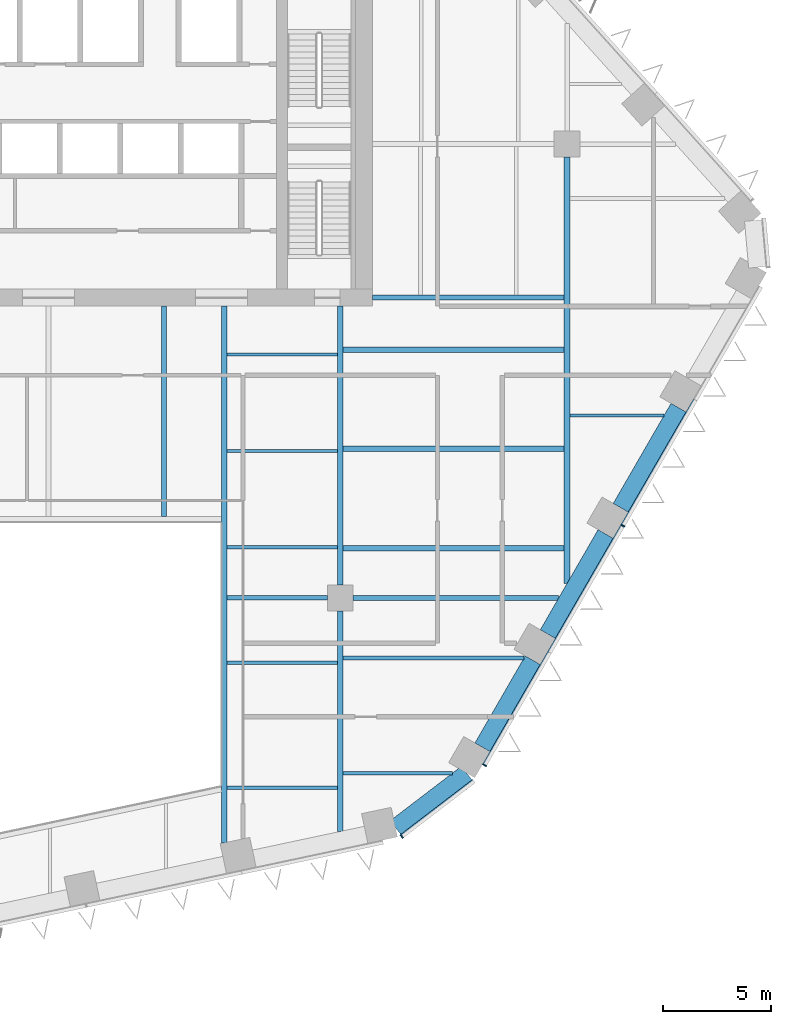
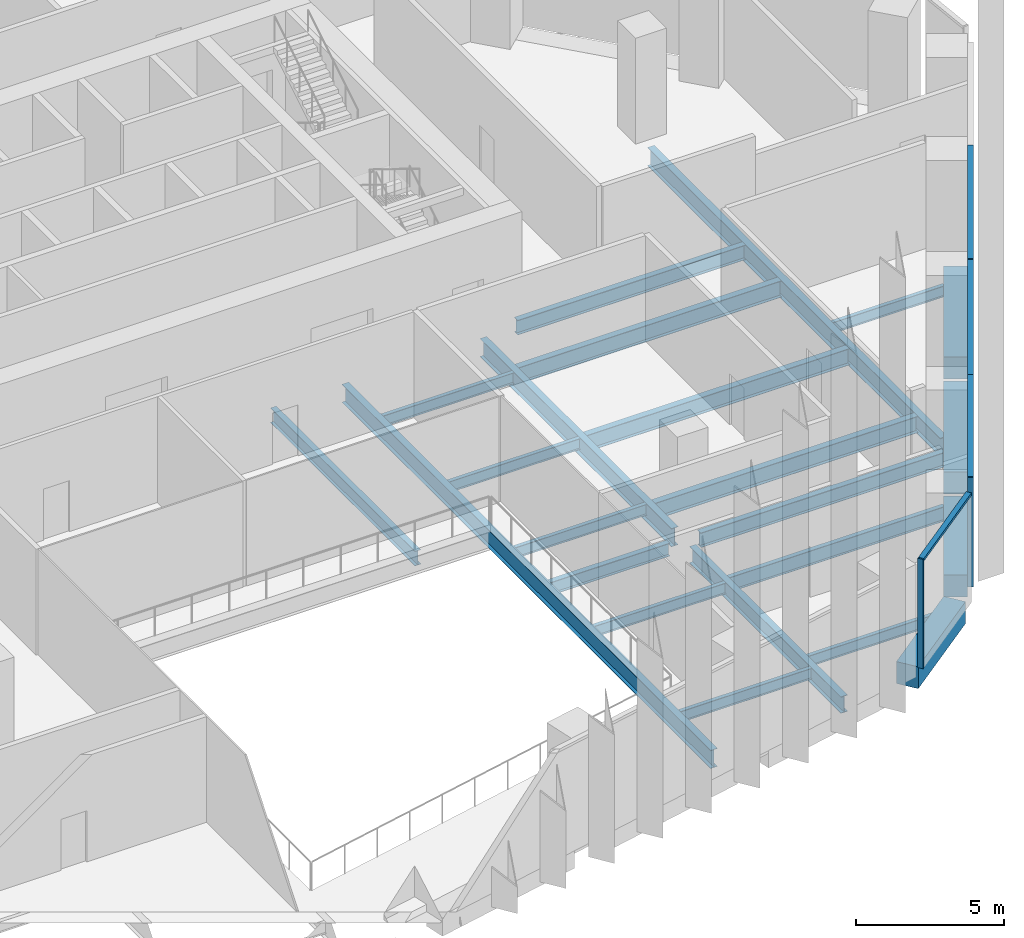
# One storey, part 5 of 18: 23 beams, 7 members, 2 elements without a shape of their own.
"""IFC4 building model written with IfcOpenShell, lengths in metres."""

from ifc_helpers import new_model, si_unit, direction, frame, origin, origin_2d, place, context, subcontext, project, spatial, rectangle, i_section, extrude, material, layer, layer_set, material_profile, profile_set, type_object, element, aggregate, save


model = new_model("IFC4")

# Units and contexts
model_context = context("Model", 3, precision=1e-05, world=origin(), true_north=direction((0.0, 1.0)))
body_context = subcontext(model_context, "Body", "Model", "MODEL_VIEW")
ifc_project = project(units=[si_unit("LENGTHUNIT", "METRE"), si_unit("AREAUNIT", "SQUARE_METRE"), si_unit("VOLUMEUNIT", "CUBIC_METRE"), si_unit("PLANEANGLEUNIT", "RADIAN"), si_unit("MASSUNIT", "GRAM", prefix="KILO")], contexts=[model_context])

# Site, building, storey
site_placement = place(None, origin())
site = spatial("IfcSite", under=ifc_project, at=site_placement, CompositionType="ELEMENT")
building_placement = place(site_placement, origin())
building = spatial("IfcBuilding", under=site, at=building_placement, Name="Isthmus Gate Tower", CompositionType="ELEMENT")
storey_placement = place(building_placement, frame((0.0, 0.0, 166.300048828125)))
storey = spatial("IfcBuildingStorey", under=building, at=storey_placement, Name="L41", CompositionType="ELEMENT", Elevation=166.300048828125)

# Curtain wall, member
ifc_material_1 = material(Name="Aluminium, pale champagne anodised", Category="aluminium")
ifc_layer = layer(ifc_material_1, 0.199951171875)
ifc_layer_set = layer_set([ifc_layer], Name="CW-2 LOUVRE CURTAIN WALL 200 DEEP")
curtain_wall_type = type_object("IfcCurtainWallType", Name="CW-2 LOUVRE CURTAIN WALL 200 DEEP", PredefinedType="NOTDEFINED", material=ifc_layer_set)
curtain_wall_1_placement = place(storey_placement, origin())
curtain_wall_1 = element("IfcCurtainWall", 1, at=curtain_wall_1_placement, inside=storey, type_object=curtain_wall_type, Name="CW-2 S-SE L41", PredefinedType="NOTDEFINED")
ifc_material_2 = material(Name="Aluminium, pale champagne anodised", Category="aluminium")
ifc_material_profile_1 = material_profile(ifc_material_2, rectangle(XDim=0.06005859375, YDim=0.199951171875, at=origin_2d()), Name="60x200")
ifc_profile_set_1 = profile_set([ifc_material_profile_1], Name="Aluminium, pale champagne anodised")
member_type_1 = type_object("IfcMemberType", Name="CW-2 MULLION 60 X 200", PredefinedType="MULLION", material=ifc_profile_set_1)
member_1_placement = place(storey_placement, frame((16.346435546875, -24.5419921875, 0.0), z_axis=(0.0, 0.0, 1.0), x_axis=(0.794188594387, 0.607671355706, 0.0)))
member_1 = element("IfcMember", 2, at=member_1_placement, type_object=member_type_1, Name="CW-2 mullion", PredefinedType="MULLION", context=body_context, shape_type="SweptSolid", body=[
    extrude(rectangle(XDim=0.06005859375, YDim=0.199951171875, at=origin_2d()), origin(), (0.0, 0.0, 1.0), 4.5),
])

# Curtain wall, members
curtain_wall_2_placement = place(storey_placement, origin())
curtain_wall_2 = element("IfcCurtainWall", 3, at=curtain_wall_2_placement, inside=storey, type_object=curtain_wall_type, Name="CW-2 SE L41", PredefinedType="NOTDEFINED")
member_2_placement = place(storey_placement, frame((20.18115234375, -21.245361328125, 0.0), z_axis=(0.0, 0.0, 1.0), x_axis=(0.5, 0.866025403784, 0.0)))
member_2 = element("IfcMember", 4, at=member_2_placement, type_object=member_type_1, Name="CW-2 mullion", PredefinedType="MULLION", context=body_context, shape_type="SweptSolid", body=[
    extrude(rectangle(XDim=0.06005859375, YDim=0.199951171875, at=origin_2d()), origin(), (0.0, 0.0, 1.0), 4.5),
])
member_3_placement = place(storey_placement, frame((26.5810546875, -10.16015625, 0.0), z_axis=(0.0, 0.0, 1.0), x_axis=(0.5, 0.866025403784, 0.0)))
member_3 = element("IfcMember", 5, at=member_3_placement, type_object=member_type_1, Name="CW-2 mullion", PredefinedType="MULLION", context=body_context, shape_type="SweptSolid", body=[
    extrude(rectangle(XDim=0.06005859375, YDim=0.199951171875, at=origin_2d()), origin(), (0.0, 0.0, 1.0), 4.5),
])

# Member
ifc_material_3 = material(Name="Aluminium, pale champagne anodised", Category="aluminium")
ifc_material_profile_2 = material_profile(ifc_material_3, rectangle(XDim=0.199951171875, YDim=0.110107421875, at=origin_2d()), Name="200x110")
ifc_profile_set_2 = profile_set([ifc_material_profile_2], Name="Aluminium, pale champagne anodised")
member_type_2 = type_object("IfcMemberType", Name="CW-2 TRANSOM 200 X 110", PredefinedType="USERDEFINED", material=ifc_profile_set_2)
member_4_placement = place(storey_placement, frame((16.3701171875, -24.52392578125, 4.445068359375), z_axis=(0.79419705805, 0.607660294066, 0.0), x_axis=(-0.607660294066, 0.79419705805, 0.0)))
member_4 = element("IfcMember", 6, at=member_4_placement, type_object=member_type_2, Name="CW-2 transom", ObjectType="TRANSOM", PredefinedType="USERDEFINED", context=body_context, shape_type="SweptSolid", body=[
    extrude(rectangle(XDim=0.199951171875, YDim=0.110107421875, at=origin_2d()), origin(), (0.0, 0.0, 1.0), 4.181640625),
])

aggregate(curtain_wall_1, [member_1, member_4])

member_5_placement = place(storey_placement, frame((20.196044921875, -21.219482421875, 4.445068359375), z_axis=(0.499996458184, 0.866027448643, 0.0), x_axis=(-0.866027448643, 0.499996458184, 0.0)))
member_5 = element("IfcMember", 7, at=member_5_placement, type_object=member_type_2, Name="CW-2 transom", ObjectType="TRANSOM", PredefinedType="USERDEFINED", context=body_context, shape_type="SweptSolid", body=[
    extrude(rectangle(XDim=0.199951171875, YDim=0.110107421875, at=origin_2d()), origin(), (0.0, 0.0, 1.0), 5.990234375),
])

member_6_placement = place(storey_placement, frame((23.191162109375, -16.03173828125, 4.445068359375), z_axis=(0.499997969693, 0.866026575979, 0.0), x_axis=(-0.866026575979, 0.499997969693, 0.0)))
member_6 = element("IfcMember", 8, at=member_6_placement, type_object=member_type_2, Name="CW-2 transom", ObjectType="TRANSOM", PredefinedType="USERDEFINED", context=body_context, shape_type="SweptSolid", body=[
    extrude(rectangle(XDim=0.199951171875, YDim=0.110107421875, at=origin_2d()), origin(), (0.0, 0.0, 1.0), 6.75),
])

member_7_placement = place(storey_placement, frame((26.59619140625, -10.134033203125, 4.445068359375), z_axis=(0.499997283838, 0.866026971956, 0.0), x_axis=(-0.866026971956, 0.499997283838, 0.0)))
member_7 = element("IfcMember", 9, at=member_7_placement, type_object=member_type_2, Name="CW-2 transom", ObjectType="TRANSOM", PredefinedType="USERDEFINED", context=body_context, shape_type="SweptSolid", body=[
    extrude(rectangle(XDim=0.199951171875, YDim=0.110107421875, at=origin_2d()), origin(), (0.0, 0.0, 1.0), 6.68994140625),
])

aggregate(curtain_wall_2, [member_2, member_5, member_6, member_3, member_7])

# Beams
ifc_material_4 = material(Name="Concrete f'c 60 MPa", Category="concrete")
ifc_material_profile_3 = material_profile(ifc_material_4, rectangle(XDim=0.800048828125, YDim=0.89990234375, at=origin_2d()), Name="RC 800X900")
ifc_profile_set_3 = profile_set([ifc_material_profile_3], Name="Concrete f'c 60 MPa")
beam_type_1 = type_object("IfcBeamType", Name="RC SPANDREL 800 X 900", PredefinedType="SPANDREL", material=ifc_profile_set_3)
for number, where, z_axis, x_axis, name in (
    (10, (29.158203125, -4.696533203125, -0.449951171875), (-0.500001594578, -0.866024483152, 0.0), (0.866024483152, -0.500001594578, 0.0), "str-spandrel-L41-07"),
    (11, (25.783203125, -10.542236328125, -0.449951171875), (-0.500001594578, -0.866024483152, 0.0), (0.866024483152, -0.500001594578, 0.0), "str-spandrel-L41-08"),
):
    element("IfcBeam", number, at=place(storey_placement, frame(where, z_axis=z_axis, x_axis=x_axis)), inside=storey, type_object=beam_type_1, Name=name, PredefinedType="SPANDREL", context=body_context, shape_type="SweptSolid", body=[
        extrude(rectangle(XDim=0.800048828125, YDim=0.89990234375, at=origin_2d()), origin(), (0.0, 0.0, 1.0), 5.35009765625),
    ])
beam_1_placement = place(storey_placement, frame((22.408203125, -16.387939453125, -0.449951171875), z_axis=(-0.500001179632, -0.866024722723, 0.0), x_axis=(0.866024722723, -0.500001179632, 0.0)))
element("IfcBeam", 12, at=beam_1_placement, inside=storey, type_object=beam_type_1, Name="str-spandrel-L41-09", PredefinedType="SPANDREL", context=body_context, shape_type="SweptSolid", body=[
    extrude(rectangle(XDim=0.800048828125, YDim=0.89990234375, at=origin_2d()), origin(), (0.0, 0.0, 1.0), 4.650390625),
])
beam_2_placement = place(storey_placement, frame((19.354248046875, -21.611083984375, -0.449951171875), z_axis=(-0.794205941875, -0.607648682949, 0.0), x_axis=(0.607648682949, -0.794205941875, 0.0)))
element("IfcBeam", 13, at=beam_2_placement, inside=storey, type_object=beam_type_1, Name="str-spandrel-L41-10", PredefinedType="SPANDREL", context=body_context, shape_type="SweptSolid", body=[
    extrude(rectangle(XDim=0.800048828125, YDim=0.89990234375, at=origin_2d()), origin(), (0.0, 0.0, 1.0), 4.15234375),
])
ifc_material_5 = material(Name="Structural steel ASTM A992 Gr 50", Category="steel")
ifc_material_profile_4 = material_profile(ifc_material_5, i_section(OverallWidth=0.15234375, OverallDepth=0.45068359375, WebThickness=0.0078125, FlangeThickness=0.010986328125, at=origin_2d()), Name="W18X35")
ifc_profile_set_4 = profile_set([ifc_material_profile_4], Name="Structural steel ASTM A992 Gr 50")
beam_type_2 = type_object("IfcBeamType", Name="STEEL FLOOR BEAM W18X35", PredefinedType="JOIST", material=ifc_profile_set_4)
for number, where, z_axis, x_axis, name in (
    (14, (8.263427734375, -22.283203125, -0.525390625), (1.0, 0.0, 0.0), (0.0, 1.0, 0.0), "str-beam-L41-09-00"),
    (15, (8.263427734375, -16.49755859375, -0.525390625), (1.0, 0.0, 0.0), (0.0, 1.0, 0.0), "str-beam-L41-09-01"),
):
    element("IfcBeam", number, at=place(storey_placement, frame(where, z_axis=z_axis, x_axis=x_axis)), inside=storey, type_object=beam_type_2, Name=name, PredefinedType="JOIST", context=body_context, shape_type="SweptSolid", body=[
        extrude(i_section(OverallWidth=0.15234375, OverallDepth=0.45068359375, WebThickness=0.0078125, FlangeThickness=0.010986328125, at=origin_2d()), origin(), (0.0, 0.0, 1.0), 5.109619140625),
    ])
for number, where, z_axis, x_axis, name in (
    (16, (8.263427734375, -11.16259765625, -0.525390625), (1.0, 0.0, 0.0), (0.0, 1.0, 0.0), "str-beam-L41-10-00"),
    (17, (8.263427734375, -6.697509765625, -0.525390625), (1.0, 0.0, 0.0), (0.0, 1.0, 0.0), "str-beam-L41-10-01"),
    (18, (8.263427734375, -2.232421875, -0.525390625), (1.0, 0.0, 0.0), (0.0, 1.0, 0.0), "str-beam-L41-10-02"),
):
    element("IfcBeam", number, at=place(storey_placement, frame(where, z_axis=z_axis, x_axis=x_axis)), inside=storey, type_object=beam_type_2, Name=name, PredefinedType="JOIST", context=body_context, shape_type="SweptSolid", body=[
        extrude(i_section(OverallWidth=0.15234375, OverallDepth=0.45068359375, WebThickness=0.0078125, FlangeThickness=0.010986328125, at=origin_2d()), origin(), (0.0, 0.0, 1.0), 5.104736328125),
    ])
beam_3_placement = place(storey_placement, frame((13.626953125, -21.61767578125, -0.525390625), z_axis=(1.0, 0.0, 0.0), x_axis=(0.0, 1.0, 0.0)))
element("IfcBeam", 19, at=beam_3_placement, inside=storey, type_object=beam_type_2, Name="str-beam-L41-11-00", PredefinedType="JOIST", context=body_context, shape_type="SweptSolid", body=[
    extrude(i_section(OverallWidth=0.15234375, OverallDepth=0.45068359375, WebThickness=0.0078125, FlangeThickness=0.010986328125, at=origin_2d()), origin(), (0.0, 0.0, 1.0), 5.060302734375),
])
beam_4_placement = place(storey_placement, frame((24.13330078125, -5.0625, -0.525390625), z_axis=(1.0, 0.0, 0.0), x_axis=(0.0, 1.0, 0.0)))
element("IfcBeam", 20, at=beam_4_placement, inside=storey, type_object=beam_type_2, Name="str-beam-L41-16-00", PredefinedType="JOIST", context=body_context, shape_type="SweptSolid", body=[
    extrude(i_section(OverallWidth=0.15234375, OverallDepth=0.45068359375, WebThickness=0.0078125, FlangeThickness=0.010986328125, at=origin_2d()), origin(), (0.0, 0.0, 1.0), 4.351806640625),
])
ifc_material_6 = material(Name="Structural steel ASTM A992 Gr 50", Category="steel")
ifc_material_profile_5 = material_profile(ifc_material_6, i_section(OverallWidth=0.177734375, OverallDepth=0.60009765625, WebThickness=0.009521484375, FlangeThickness=0.0126953125, at=origin_2d()), Name="W24X55")
ifc_profile_set_5 = profile_set([ifc_material_profile_5], Name="Structural steel ASTM A992 Gr 50")
beam_type_3 = type_object("IfcBeamType", Name="STEEL FLOOR BEAM W24X55", PredefinedType="JOIST", material=ifc_profile_set_5)
beam_5_placement = place(storey_placement, frame((13.626953125, -16.2822265625, -0.60009765625), z_axis=(1.0, 0.0, 0.0), x_axis=(0.0, 1.0, 0.0)))
element("IfcBeam", 21, at=beam_5_placement, inside=storey, type_object=beam_type_3, Name="str-beam-L41-11-01", PredefinedType="JOIST", context=body_context, shape_type="SweptSolid", body=[
    extrude(i_section(OverallWidth=0.177734375, OverallDepth=0.60009765625, WebThickness=0.009521484375, FlangeThickness=0.0126953125, at=origin_2d()), origin(), (0.0, 0.0, 1.0), 8.38037109375),
])
ifc_material_7 = material(Name="Structural steel ASTM A992 Gr 50", Category="steel")
ifc_material_profile_6 = material_profile(ifc_material_7, i_section(OverallWidth=0.228515625, OverallDepth=0.603271484375, WebThickness=0.010986328125, FlangeThickness=0.014404296875, at=origin_2d()), Name="W24X68")
ifc_profile_set_6 = profile_set([ifc_material_profile_6], Name="Structural steel ASTM A992 Gr 50")
beam_type_4 = type_object("IfcBeamType", Name="STEEL FLOOR BEAM W24X68", PredefinedType="JOIST", material=ifc_profile_set_6)
beam_6_placement = place(storey_placement, frame((5.333251953125, -9.7333984375, -0.6015625), z_axis=(0.0, 1.0, 0.0), x_axis=(-1.0, 0.0, 0.0)))
element("IfcBeam", 22, at=beam_6_placement, inside=storey, type_object=beam_type_4, Name="str-beam-L41-06-02", PredefinedType="JOIST", context=body_context, shape_type="SweptSolid", body=[
    extrude(i_section(OverallWidth=0.228515625, OverallDepth=0.603271484375, WebThickness=0.010986328125, FlangeThickness=0.014404296875, at=origin_2d()), origin(), (0.0, 0.0, 1.0), 9.7333984375),
])
ifc_material_8 = material(Name="Structural steel ASTM A992 Gr 50", Category="steel")
ifc_material_profile_7 = material_profile(ifc_material_8, i_section(OverallWidth=0.25390625, OverallDepth=0.679443359375, WebThickness=0.010986328125, FlangeThickness=0.015869140625, at=origin_2d()), Name="W27X84")
ifc_profile_set_7 = profile_set([ifc_material_profile_7], Name="Structural steel ASTM A992 Gr 50")
beam_type_5 = type_object("IfcBeamType", Name="STEEL FLOOR BEAM W27X84", PredefinedType="JOIST", material=ifc_profile_set_7)
for number, where, z_axis, x_axis, name in (
    (23, (13.6318359375, -11.202392578125, -0.6396484375), (1.0, 0.0, 0.0), (0.0, 1.0, 0.0), "str-beam-L41-12-00"),
    (24, (13.6318359375, -6.607177734375, -0.6396484375), (1.0, 0.0, 0.0), (0.0, 1.0, 0.0), "str-beam-L41-12-01"),
    (25, (13.6318359375, -2.011962890625, -0.6396484375), (1.0, 0.0, 0.0), (0.0, 1.0, 0.0), "str-beam-L41-12-02"),
):
    element("IfcBeam", number, at=place(storey_placement, frame(where, z_axis=z_axis, x_axis=x_axis)), inside=storey, type_object=beam_type_5, Name=name, PredefinedType="JOIST", context=body_context, shape_type="SweptSolid", body=[
        extrude(i_section(OverallWidth=0.25390625, OverallDepth=0.679443359375, WebThickness=0.010986328125, FlangeThickness=0.015869140625, at=origin_2d()), origin(), (0.0, 0.0, 1.0), 10.23486328125),
    ])
ifc_material_9 = material(Name="Structural steel ASTM A992 Gr 50", Category="steel")
ifc_material_profile_8 = material_profile(ifc_material_9, i_section(OverallWidth=0.20947265625, OverallDepth=0.533447265625, WebThickness=0.009521484375, FlangeThickness=0.015869140625, at=origin_2d()), Name="W21X62")
ifc_profile_set_8 = profile_set([ifc_material_profile_8], Name="Structural steel ASTM A992 Gr 50")
beam_type_6 = type_object("IfcBeamType", Name="STEEL GIRDER W21X62", PredefinedType="BEAM", material=ifc_profile_set_8)
beam_7_placement = place(storey_placement, frame((8.263427734375, -13.5, -0.566650390625), z_axis=(1.0, 0.0, 0.0), x_axis=(0.0, 1.0, 0.0)))
element("IfcBeam", 26, at=beam_7_placement, inside=storey, type_object=beam_type_6, Name="str-girder-L41-03", PredefinedType="BEAM", context=body_context, shape_type="SweptSolid", body=[
    extrude(i_section(OverallWidth=0.20947265625, OverallDepth=0.533447265625, WebThickness=0.009521484375, FlangeThickness=0.015869140625, at=origin_2d()), origin(), (0.0, 0.0, 1.0), 4.636474609375),
])
ifc_material_10 = material(Name="Structural steel ASTM A992 Gr 50", Category="steel")
ifc_material_profile_9 = material_profile(ifc_material_10, i_section(OverallWidth=0.228515625, OverallDepth=0.6064453125, WebThickness=0.010986328125, FlangeThickness=0.017578125, at=origin_2d()), Name="W24X76")
ifc_profile_set_9 = profile_set([ifc_material_profile_9], Name="Structural steel ASTM A992 Gr 50")
beam_type_7 = type_object("IfcBeamType", Name="STEEL GIRDER W24X76", PredefinedType="BEAM", material=ifc_profile_set_9)
beam_8_placement = place(storey_placement, frame((14.10009765625, -13.5, -0.603271484375), z_axis=(1.0, 0.0, 0.0), x_axis=(0.0, 1.0, 0.0)))
element("IfcBeam", 27, at=beam_8_placement, inside=storey, type_object=beam_type_7, Name="str-girder-L41-04", PredefinedType="BEAM", context=body_context, shape_type="SweptSolid", body=[
    extrude(i_section(OverallWidth=0.228515625, OverallDepth=0.6064453125, WebThickness=0.010986328125, FlangeThickness=0.017578125, at=origin_2d()), origin(), (0.0, 0.0, 1.0), 9.513427734375),
])
beam_9_placement = place(storey_placement, frame((15.0, 0.39990234375, -0.603271484375), z_axis=(1.0, 0.0, 0.0), x_axis=(0.0, 1.0, 0.0)))
element("IfcBeam", 28, at=beam_9_placement, inside=storey, type_object=beam_type_7, Name="str-girder-L41-14", PredefinedType="BEAM", context=body_context, shape_type="SweptSolid", body=[
    extrude(i_section(OverallWidth=0.228515625, OverallDepth=0.6064453125, WebThickness=0.010986328125, FlangeThickness=0.017578125, at=origin_2d()), origin(), (0.0, 0.0, 1.0), 8.86669921875),
])
ifc_material_11 = material(Name="Structural steel ASTM A992 Gr 50", Category="steel")
ifc_material_profile_10 = material_profile(ifc_material_11, i_section(OverallWidth=0.25390625, OverallDepth=0.679443359375, WebThickness=0.010986328125, FlangeThickness=0.015869140625, at=origin_2d()), Name="W27X84")
ifc_profile_set_10 = profile_set([ifc_material_profile_10], Name="Structural steel ASTM A992 Gr 50")
beam_type_8 = type_object("IfcBeamType", Name="STEEL GIRDER W27X84", PredefinedType="BEAM", material=ifc_profile_set_10)
beam_10_placement = place(storey_placement, frame((13.5, -24.3125, -0.6396484375), z_axis=(0.0, 1.0, 0.0), x_axis=(-1.0, 0.0, 0.0)))
element("IfcBeam", 29, at=beam_10_placement, inside=storey, type_object=beam_type_8, Name="str-girder-L41-09", PredefinedType="BEAM", context=body_context, shape_type="SweptSolid", body=[
    extrude(i_section(OverallWidth=0.25390625, OverallDepth=0.679443359375, WebThickness=0.010986328125, FlangeThickness=0.015869140625, at=origin_2d()), origin(), (0.0, 0.0, 1.0), 10.21240234375),
])
ifc_material_12 = material(Name="Structural steel ASTM A992 Gr 50", Category="steel")
ifc_material_profile_11 = material_profile(ifc_material_12, i_section(OverallWidth=0.2666015625, OverallDepth=0.7587890625, WebThickness=0.014404296875, FlangeThickness=0.01904296875, at=origin_2d()), Name="W30X108")
ifc_profile_set_11 = profile_set([ifc_material_profile_11], Name="Structural steel ASTM A992 Gr 50")
beam_type_9 = type_object("IfcBeamType", Name="STEEL GIRDER W30X108", PredefinedType="BEAM", material=ifc_profile_set_11)
beam_11_placement = place(storey_placement, frame((24.0, -12.830810546875, -0.679443359375), z_axis=(0.0, 1.0, 0.0), x_axis=(-1.0, 0.0, 0.0)))
element("IfcBeam", 30, at=beam_11_placement, inside=storey, type_object=beam_type_9, Name="str-girder-L41-11", PredefinedType="BEAM", context=body_context, shape_type="SweptSolid", body=[
    extrude(i_section(OverallWidth=0.2666015625, OverallDepth=0.7587890625, WebThickness=0.014404296875, FlangeThickness=0.01904296875, at=origin_2d()), origin(), (0.0, 0.0, 1.0), 19.730712890625),
])
ifc_material_13 = material(Name="Structural steel ASTM A992 Gr 50", Category="steel")
ifc_material_profile_12 = material_profile(ifc_material_13, i_section(OverallWidth=0.263427734375, OverallDepth=0.749267578125, WebThickness=0.0126953125, FlangeThickness=0.015869140625, at=origin_2d()), Name="W30X90")
ifc_profile_set_12 = profile_set([ifc_material_profile_12], Name="Structural steel ASTM A992 Gr 50")
beam_type_10 = type_object("IfcBeamType", Name="STEEL GIRDER W30X90", PredefinedType="BEAM", material=ifc_profile_set_12)
beam_12_placement = place(storey_placement, frame((13.5, -12.89990234375, -0.6748046875), z_axis=(0.0, 1.0, 0.0), x_axis=(-1.0, 0.0, 0.0)))
element("IfcBeam", 31, at=beam_12_placement, inside=storey, type_object=beam_type_10, Name="str-girder-L41-10", PredefinedType="BEAM", context=body_context, shape_type="SweptSolid", body=[
    extrude(i_section(OverallWidth=0.263427734375, OverallDepth=0.749267578125, WebThickness=0.0126953125, FlangeThickness=0.015869140625, at=origin_2d()), origin(), (0.0, 0.0, 1.0), 12.89990234375),
])
ifc_material_14 = material(Name="Structural steel ASTM A992 Gr 50", Category="steel")
ifc_material_profile_13 = material_profile(ifc_material_14, i_section(OverallWidth=0.263427734375, OverallDepth=0.749267578125, WebThickness=0.0126953125, FlangeThickness=0.015869140625, at=origin_2d()), Name="W30X90")
ifc_profile_set_13 = profile_set([ifc_material_profile_13], Name="Structural steel ASTM A992 Gr 50")
beam_type_11 = type_object("IfcBeamType", Name="STEEL TRIMMER W30X90", PredefinedType="BEAM", material=ifc_profile_set_13)
beam_13_placement = place(storey_placement, frame((8.1318359375, -24.84033203125, -0.6748046875), z_axis=(0.0, 1.0, 0.0), x_axis=(-1.0, 0.0, 0.0)))
element("IfcBeam", 32, at=beam_13_placement, inside=storey, type_object=beam_type_11, Name="str-trimmer-L41-01", PredefinedType="BEAM", context=body_context, shape_type="SweptSolid", body=[
    extrude(i_section(OverallWidth=0.263427734375, OverallDepth=0.749267578125, WebThickness=0.0126953125, FlangeThickness=0.015869140625, at=origin_2d()), origin(), (0.0, 0.0, 1.0), 24.84033203125),
])

save(model, "model.ifc")
